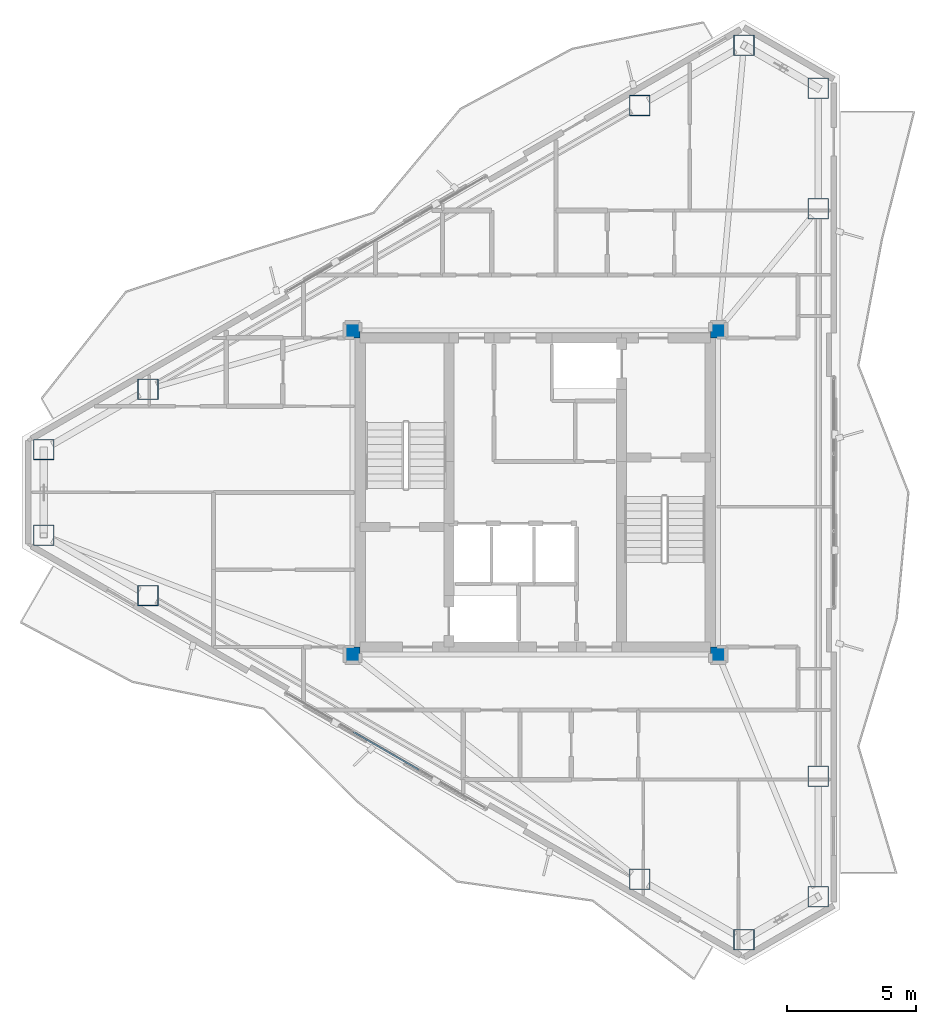
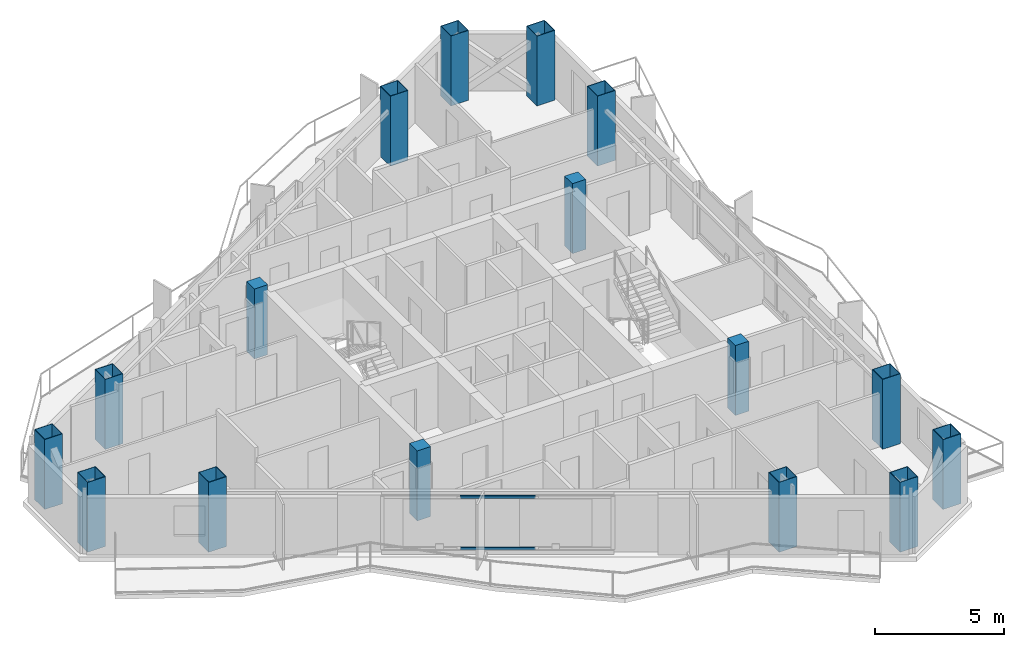
# One storey, part 1 of 22: 16 columns, 2 members, 1 element without a shape of its own.
"""IFC4 building model written with IfcOpenShell, lengths in metres."""

from ifc_helpers import new_model, si_unit, direction, frame, origin, origin_2d, place, context, subcontext, project, spatial, rectangle, hollow_rectangle, extrude, material, layer, layer_set, material_profile, profile_set, type_object, element, aggregate, save


model = new_model("IFC4")

# Units and contexts
model_context = context("Model", 3, precision=1e-05, world=origin(), true_north=direction((0.0, 1.0)))
body_context = subcontext(model_context, "Body", "Model", "MODEL_VIEW")
ifc_project = project(units=[si_unit("LENGTHUNIT", "METRE"), si_unit("AREAUNIT", "SQUARE_METRE"), si_unit("VOLUMEUNIT", "CUBIC_METRE"), si_unit("PLANEANGLEUNIT", "RADIAN"), si_unit("MASSUNIT", "GRAM", prefix="KILO")], contexts=[model_context])

# Site, building, storey
site_placement = place(None, origin())
site = spatial("IfcSite", under=ifc_project, at=site_placement, CompositionType="ELEMENT")
building_placement = place(site_placement, origin())
building = spatial("IfcBuilding", under=site, at=building_placement, Name="Mersakhor Tower and Convention Hall", CompositionType="ELEMENT")
storey_placement = place(building_placement, frame((0.0, 0.0, 198.60009765625)))
storey = spatial("IfcBuildingStorey", under=building, at=storey_placement, Name="L55", CompositionType="ELEMENT", Elevation=198.60009765625)

# Columns
ifc_material_1 = material(Name="Concrete C50/60 in S460M steel box", Category="concrete")
ifc_material_profile_1 = material_profile(ifc_material_1, hollow_rectangle(XDim=0.800048828125, YDim=0.800048828125, WallThickness=0.02490234375, at=origin_2d()), Name="SHS 800x800x25")
ifc_profile_set_1 = profile_set([ifc_material_profile_1], Name="Concrete C50/60 in S460M steel box")
column_type_1 = type_object("IfcColumnType", Name="COL-CFT-800", PredefinedType="COLUMN", material=ifc_profile_set_1)
for number, where, z_axis, x_axis, name in (
    (1, (9.907470703125, 28.415283203125, 0.0), (0.0, 0.0, 1.0), (1.0, 0.0, 0.0), "L55 Perimeter Mega-Column MC-01"),
    (2, (13.959716796875, 30.7548828125, 0.0), (0.0, 0.0, 1.0), (1.0, 0.0, 0.0), "L55 Perimeter Mega-Column MC-02"),
    (3, (33.0517578125, 41.777587890625, 0.0), (0.0, 0.0, 1.0), (1.0, 0.0, 0.0), "L55 Perimeter Mega-Column MC-03"),
    (4, (37.10400390625, 44.1171875, 0.0), (0.0, 0.0, 1.0), (1.0, 0.0, 0.0), "L55 Perimeter Mega-Column MC-04"),
    (5, (39.98828125, 42.451904296875, 0.0), (0.0, 0.0, 1.0), (1.0, 0.0, 0.0), "L55 Perimeter Mega-Column MC-05"),
    (6, (39.98828125, 37.772705078125, 0.0), (0.0, 0.0, 1.0), (1.0, 0.0, 0.0), "L55 Perimeter Mega-Column MC-06"),
    (7, (39.98828125, 15.727294921875, 0.0), (0.0, 0.0, 1.0), (1.0, 0.0, 0.0), "L55 Perimeter Mega-Column MC-07"),
    (8, (39.98828125, 11.048095703125, 0.0), (0.0, 0.0, 1.0), (1.0, 0.0, 0.0), "L55 Perimeter Mega-Column MC-08"),
    (9, (37.10400390625, 9.3828125, 0.0), (0.0, 0.0, 1.0), (1.0, 0.0, 0.0), "L55 Perimeter Mega-Column MC-09"),
    (10, (33.0517578125, 11.722412109375, 0.0), (0.0, 0.0, 1.0), (1.0, 0.0, 0.0), "L55 Perimeter Mega-Column MC-10"),
    (11, (13.959716796875, 22.7451171875, 0.0), (0.0, 0.0, 1.0), (1.0, 0.0, 0.0), "L55 Perimeter Mega-Column MC-11"),
    (12, (9.907470703125, 25.084716796875, 0.0), (0.0, 0.0, 1.0), (1.0, 0.0, 0.0), "L55 Perimeter Mega-Column MC-12"),
):
    element("IfcColumn", number, at=place(storey_placement, frame(where, z_axis=z_axis, x_axis=x_axis)), inside=storey, type_object=column_type_1, Name=name, PredefinedType="COLUMN", context=body_context, shape_type="SweptSolid", body=[
        extrude(hollow_rectangle(XDim=0.800048828125, YDim=0.800048828125, WallThickness=0.02490234375, at=origin_2d()), origin(), (0.0, 0.0, 1.0), 3.2998046875),
    ])
ifc_material_2 = material(Name="Concrete C50/60", Category="concrete")
ifc_material_profile_2 = material_profile(ifc_material_2, rectangle(XDim=0.60009765625, YDim=0.60009765625, at=origin_2d()), Name="RC 600x600")
ifc_profile_set_2 = profile_set([ifc_material_profile_2], Name="Concrete C50/60")
column_type_2 = type_object("IfcColumnType", Name="COL-RC-600", PredefinedType="COLUMN", material=ifc_profile_set_2)
for number, where, z_axis, x_axis, name in (
    (13, (21.89990234375, 20.449951171875, 0.0), (0.0, 0.0, 1.0), (1.0, 0.0, 0.0), "L55 Core Corner Column CC-1"),
    (14, (21.89990234375, 33.050048828125, 0.0), (0.0, 0.0, 1.0), (1.0, 0.0, 0.0), "L55 Core Corner Column CC-2"),
    (15, (36.10009765625, 33.050048828125, 0.0), (0.0, 0.0, 1.0), (1.0, 0.0, 0.0), "L55 Core Corner Column CC-3"),
    (16, (36.10009765625, 20.449951171875, 0.0), (0.0, 0.0, 1.0), (1.0, 0.0, 0.0), "L55 Core Corner Column CC-4"),
):
    element("IfcColumn", number, at=place(storey_placement, frame(where, z_axis=z_axis, x_axis=x_axis)), inside=storey, type_object=column_type_2, Name=name, PredefinedType="COLUMN", context=body_context, shape_type="SweptSolid", body=[
        extrude(rectangle(XDim=0.60009765625, YDim=0.60009765625, at=origin_2d()), origin(), (0.0, 0.0, 1.0), 3.2998046875),
    ])

# Curtain wall, members
ifc_material_3 = material(Name="Dark solar low-E aluminium curtain wall", Category="aluminium")
ifc_layer = layer(ifc_material_3, 0.169921875)
ifc_layer_set = layer_set([ifc_layer], Name="Dark solar low-E aluminium curtain wall")
curtain_wall_type = type_object("IfcCurtainWallType", Name="CW-SYS-02", PredefinedType="USERDEFINED", material=ifc_layer_set)
curtain_wall_placement = place(storey_placement, origin())
curtain_wall = element("IfcCurtainWall", 17, at=curtain_wall_placement, inside=storey, type_object=curtain_wall_type, Name="L55 Dark-Glass Curtain Wall F3-B2", ObjectType="CURTAIN WALL", PredefinedType="USERDEFINED")
ifc_material_4 = material(Name="Anodised aluminium EN AW-6063 T6", Category="aluminium")
ifc_material_profile_3 = material_profile(ifc_material_4, hollow_rectangle(XDim=0.06005859375, YDim=0.1201171875, WallThickness=0.0048828125, at=origin_2d()), Name="RHS 120x60x5")
ifc_profile_set_3 = profile_set([ifc_material_profile_3], Name="Anodised aluminium EN AW-6063 T6")
member_type = type_object("IfcMemberType", Name="CWT-120x60", PredefinedType="USERDEFINED", material=ifc_profile_set_3)
member_1_placement = place(storey_placement, frame((24.47216796875, 15.98291015625, 0.22998046875), z_axis=(-0.866004860328, 0.500035580622, 0.0), x_axis=(-0.500035580622, -0.866004860328, 0.0)))
member_1 = element("IfcMember", 18, at=member_1_placement, type_object=member_type, Name="CW-02 transom 2.1", ObjectType="TRANSOM", PredefinedType="USERDEFINED", context=body_context, shape_type="SweptSolid", body=[
    extrude(hollow_rectangle(XDim=0.06005859375, YDim=0.1201171875, WallThickness=0.0048828125, at=origin_2d()), origin(), (0.0, 0.0, 1.0), 2.924560546875),
])
member_2_placement = place(storey_placement, frame((24.47216796875, 15.98291015625, 2.659912109375), z_axis=(-0.866004860328, 0.500035580622, 0.0), x_axis=(-0.500035580622, -0.866004860328, 0.0)))
member_2 = element("IfcMember", 19, at=member_2_placement, type_object=member_type, Name="CW-02 transom 2.2", ObjectType="TRANSOM", PredefinedType="USERDEFINED", context=body_context, shape_type="SweptSolid", body=[
    extrude(hollow_rectangle(XDim=0.06005859375, YDim=0.1201171875, WallThickness=0.0048828125, at=origin_2d()), origin(), (0.0, 0.0, 1.0), 2.924560546875),
])
aggregate(curtain_wall, [member_1, member_2])

save(model, "model.ifc")
